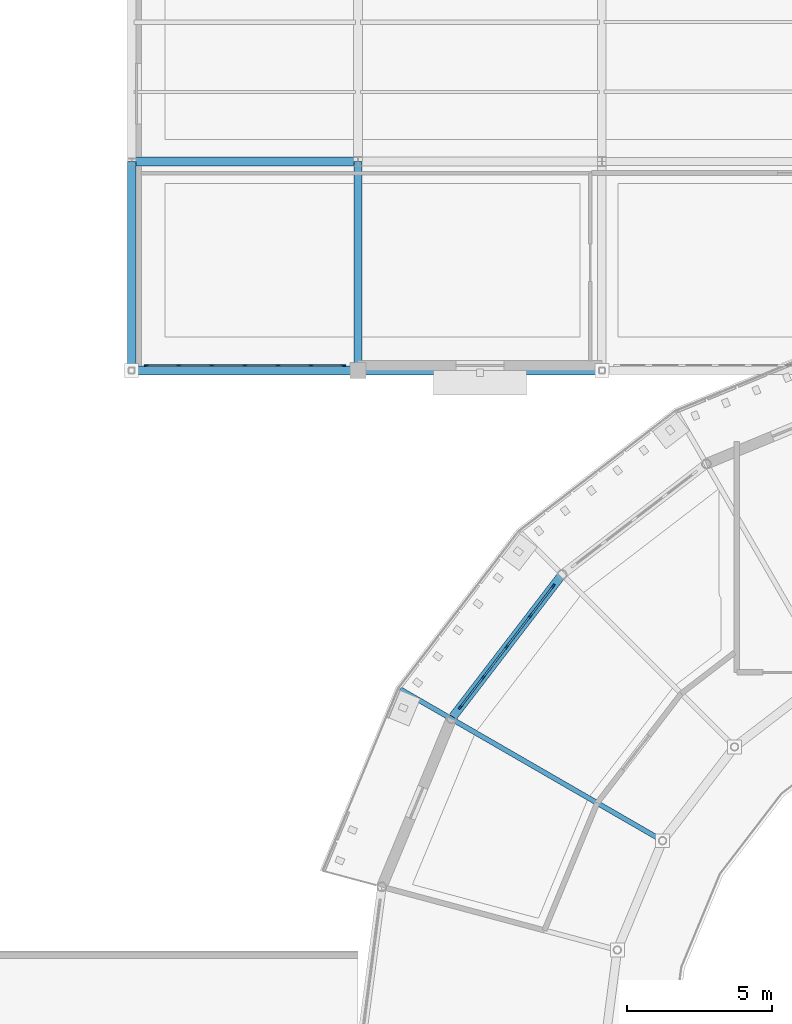
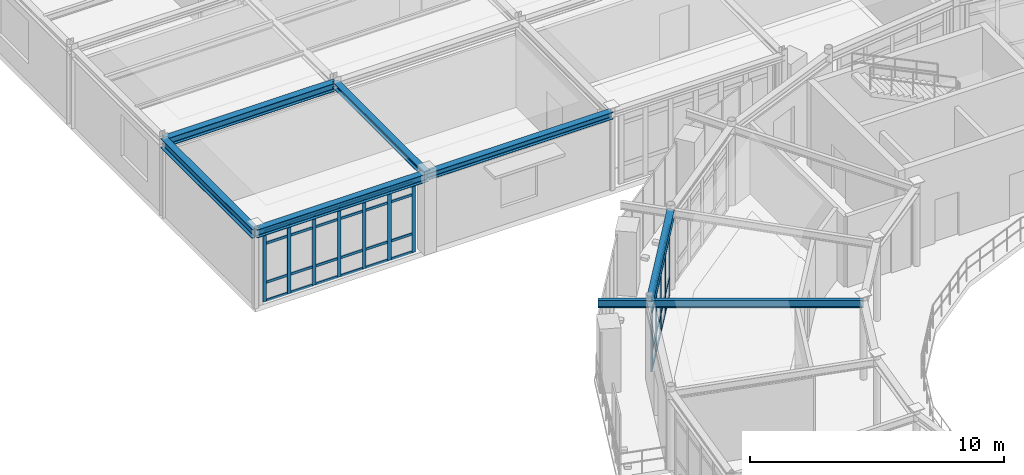
# One storey, part 31 of 70: 52 members, 7 beams, 2 elements without a shape of their own.
"""IFC4 building model written with IfcOpenShell, lengths in metres."""

from ifc_helpers import new_model, si_unit, derived_unit, direction, frame, origin, origin_2d, place, context, subcontext, project, spatial, rectangle, i_section, extrude, material, layer, layer_set, material_profile, profile_set, type_object, element, aggregate, save


model = new_model("IFC4")

# Units and contexts
model_context = context("Model", 3, precision=1e-05, world=origin(), true_north=direction((0.0, 1.0)))
body_context = subcontext(model_context, "Body", "Model", "MODEL_VIEW")
ifc_project = project(units=[si_unit("LENGTHUNIT", "METRE"), si_unit("AREAUNIT", "SQUARE_METRE"), si_unit("VOLUMEUNIT", "CUBIC_METRE"), si_unit("PLANEANGLEUNIT", "RADIAN"), si_unit("MASSUNIT", "GRAM", prefix="KILO"), derived_unit("THERMALTRANSMITTANCEUNIT", [(si_unit("POWERUNIT", "WATT"), 1), (si_unit("AREAUNIT", "SQUARE_METRE"), -1), (si_unit("THERMODYNAMICTEMPERATUREUNIT", "KELVIN"), -1)])], contexts=[model_context])

# Site, building, storey
site_placement = place(None, origin())
site = spatial("IfcSite", under=ifc_project, at=site_placement, CompositionType="ELEMENT")
building_placement = place(site_placement, origin())
building = spatial("IfcBuilding", under=site, at=building_placement, Name="Yasenodar Specialist Clinic", CompositionType="ELEMENT")
storey_placement = place(building_placement, frame((0.0, 0.0, 13.199951171875)))
storey = spatial("IfcBuildingStorey", under=building, at=storey_placement, Name="L03", CompositionType="ELEMENT", Elevation=13.199951171875)

# Beams
ifc_material_1 = material(Name="Steel S355", Category="steel")
ifc_material_profile_1 = material_profile(ifc_material_1, i_section(OverallWidth=0.300048828125, OverallDepth=0.330078125, WebThickness=0.009521484375, FlangeThickness=0.0166015625, FilletRadius=0.027099609375, at=origin_2d()), Name="HEA 340")
ifc_profile_set_1 = profile_set([ifc_material_profile_1], Name="Steel S355")
beam_type_1 = type_object("IfcBeamType", Name="BM-HEA340", PredefinedType="BEAM", material=ifc_profile_set_1)
beam_1_placement = place(storey_placement, frame((57.0, 82.800048828125, 3.625), z_axis=(1.0, 0.0, 0.0), x_axis=(0.0, 1.0, 0.0)))
element("IfcBeam", 1, at=beam_1_placement, inside=storey, type_object=beam_type_1, Name="L03 Primary E-W Girder", PredefinedType="BEAM", context=body_context, shape_type="SweptSolid", body=[
    extrude(i_section(OverallWidth=0.300048828125, OverallDepth=0.330078125, WebThickness=0.009521484375, FlangeThickness=0.0166015625, FilletRadius=0.027099609375, at=origin_2d()), origin(), (0.0, 0.0, 1.0), 8.39990234375),
])
ifc_material_profile_2 = material_profile(ifc_material_1, i_section(OverallWidth=0.300048828125, OverallDepth=0.389892578125, WebThickness=0.010986328125, FlangeThickness=0.01904296875, FilletRadius=0.027099609375, at=origin_2d()), Name="HEA 400")
ifc_profile_set_2 = profile_set([ifc_material_profile_2], Name="Steel S355")
beam_type_2 = type_object("IfcBeamType", Name="BM-HEA400", PredefinedType="BEAM", material=ifc_profile_set_2)
for number, where, z_axis, x_axis, name in (
    (2, (49.199951171875, 82.800048828125, 3.594970703125), (1.0, 0.0, 0.0), (0.0, 1.0, 0.0), "L03 Primary E-W Girder"),
    (3, (49.199951171875, 90.0, 3.594970703125), (1.0, 0.0, 0.0), (0.0, 1.0, 0.0), "L03 Primary E-W Girder"),
):
    element("IfcBeam", number, at=place(storey_placement, frame(where, z_axis=z_axis, x_axis=x_axis)), inside=storey, type_object=beam_type_2, Name=name, PredefinedType="BEAM", context=body_context, shape_type="SweptSolid", body=[
        extrude(i_section(OverallWidth=0.300048828125, OverallDepth=0.389892578125, WebThickness=0.010986328125, FlangeThickness=0.01904296875, FilletRadius=0.027099609375, at=origin_2d()), origin(), (0.0, 0.0, 1.0), 7.800048828125),
    ])
beam_2_placement = place(storey_placement, frame((64.029296875, 75.7705078125, 3.60498046875), z_axis=(-0.608761180103, -0.793353531283, 0.0), x_axis=(0.793353531283, -0.608761180103, 0.0)))
element("IfcBeam", 4, at=beam_2_placement, inside=storey, type_object=beam_type_2, Name="L03 Drum V1 Perimeter Ring Beam", PredefinedType="BEAM", context=body_context, shape_type="SweptSolid", body=[
    extrude(i_section(OverallWidth=0.300048828125, OverallDepth=0.389892578125, WebThickness=0.010986328125, FlangeThickness=0.01904296875, FilletRadius=0.027099609375, at=origin_2d()), origin(), (0.0, 0.0, 1.0), 6.26513671875),
])
ifc_material_profile_3 = material_profile(ifc_material_1, i_section(OverallWidth=0.280029296875, OverallDepth=0.280029296875, WebThickness=0.010498046875, FlangeThickness=0.01806640625, FilletRadius=0.02392578125, at=origin_2d()), Name="HEB 280")
ifc_profile_set_3 = profile_set([ifc_material_profile_3], Name="Steel S355")
beam_type_3 = type_object("IfcBeamType", Name="BM-HEB280", PredefinedType="BEAM", material=ifc_profile_set_3)
beam_3_placement = place(storey_placement, frame((57.0, 82.800048828125, 3.650146484375), z_axis=(0.0, 1.0, 0.0), x_axis=(-1.0, 0.0, 0.0)))
element("IfcBeam", 5, at=beam_3_placement, inside=storey, type_object=beam_type_3, Name="L03 Primary N-S Girder", PredefinedType="BEAM", context=body_context, shape_type="SweptSolid", body=[
    extrude(i_section(OverallWidth=0.280029296875, OverallDepth=0.280029296875, WebThickness=0.010498046875, FlangeThickness=0.01806640625, FilletRadius=0.02392578125, at=origin_2d()), origin(), (0.0, 0.0, 1.0), 7.199951171875),
])
ifc_material_profile_4 = material_profile(ifc_material_1, i_section(OverallWidth=0.300048828125, OverallDepth=0.449951171875, WebThickness=0.013916015625, FlangeThickness=0.02587890625, FilletRadius=0.027099609375, at=origin_2d()), Name="HEB 450")
ifc_profile_set_4 = profile_set([ifc_material_profile_4], Name="Steel S355")
beam_type_4 = type_object("IfcBeamType", Name="BM-HEB450", PredefinedType="BEAM", material=ifc_profile_set_4)
beam_4_placement = place(storey_placement, frame((49.199951171875, 82.800048828125, 3.56494140625), z_axis=(0.0, 1.0, 0.0), x_axis=(-1.0, 0.0, 0.0)))
element("IfcBeam", 6, at=beam_4_placement, inside=storey, type_object=beam_type_4, Name="L03 Primary N-S Girder", PredefinedType="BEAM", context=body_context, shape_type="SweptSolid", body=[
    extrude(i_section(OverallWidth=0.300048828125, OverallDepth=0.449951171875, WebThickness=0.013916015625, FlangeThickness=0.02587890625, FilletRadius=0.027099609375, at=origin_2d()), origin(), (0.0, 0.0, 1.0), 7.199951171875),
])
ifc_material_profile_5 = material_profile(ifc_material_1, i_section(OverallWidth=0.169921875, OverallDepth=0.360107421875, WebThickness=0.008056640625, FlangeThickness=0.0126953125, FilletRadius=0.01806640625, at=origin_2d()), Name="IPE 360")
ifc_profile_set_5 = profile_set([ifc_material_profile_5], Name="Steel S355")
beam_type_5 = type_object("IfcBeamType", Name="BM-IPE360", PredefinedType="BEAM", material=ifc_profile_set_5)
beam_5_placement = place(storey_placement, frame((67.489990234375, 66.60009765625, 3.6201171875), z_axis=(-0.866033467715, 0.499986032603, 0.0), x_axis=(-0.499986032603, -0.866033467715, 0.0)))
element("IfcBeam", 7, at=beam_5_placement, inside=storey, type_object=beam_type_5, Name="L03 Drum V1 Radial Back-Spanned Cantilever Beam", PredefinedType="BEAM", context=body_context, shape_type="SweptSolid", body=[
    extrude(i_section(OverallWidth=0.169921875, OverallDepth=0.360107421875, WebThickness=0.008056640625, FlangeThickness=0.0126953125, FilletRadius=0.01806640625, at=origin_2d()), origin(), (0.0, 0.0, 1.0), 10.449951171875),
])

# Curtain wall, members
ifc_material_2 = material(Name="Bronze Anodized Aluminium and Triple Low-E Glass", Category="aluminium")
ifc_layer_1 = layer(ifc_material_2, 0.1669921875)
ifc_layer_set_1 = layer_set([ifc_layer_1], Name="Bronze Anodized Aluminium and Triple Low-E Glass")
curtain_wall_type_1 = type_object("IfcCurtainWallType", Name="CW-SYS-01", PredefinedType="USERDEFINED", material=ifc_layer_set_1)
curtain_wall_1_placement = place(storey_placement, origin())
curtain_wall_1 = element("IfcCurtainWall", 8, at=curtain_wall_1_placement, inside=storey, type_object=curtain_wall_type_1, Name="L03 Unitised Curtain Wall 046", ObjectType="UNITISED CURTAIN WALL", PredefinedType="USERDEFINED")
ifc_material_3 = material(Name="Bronze Anodized Aluminium", Category="aluminium")
ifc_material_profile_6 = material_profile(ifc_material_3, rectangle(XDim=0.06005859375, YDim=0.159912109375, at=origin_2d()), Name="CW-MULL 60x160")
ifc_profile_set_6 = profile_set([ifc_material_profile_6], Name="Bronze Anodized Aluminium")
member_type_1 = type_object("IfcMemberType", Name="CW-MULL-160", PredefinedType="MULLION", material=ifc_profile_set_6)
member_1_placement = place(storey_placement, frame((60.52587890625, 71.20458984375, 0.0), z_axis=(0.0, 0.0, 1.0), x_axis=(-0.793360558574, 0.608752021844, 0.0)))
member_1 = element("IfcMember", 9, at=member_1_placement, type_object=member_type_1, Name="CW-01 mullion 1", PredefinedType="MULLION", context=body_context, shape_type="SweptSolid", body=[
    extrude(rectangle(XDim=0.06005859375, YDim=0.159912109375, at=origin_2d()), origin(), (0.0, 0.0, 1.0), 3.387939453125),
])
member_2_placement = place(storey_placement, frame((61.31494140625, 72.233154296875, 0.0), z_axis=(0.0, 0.0, 1.0), x_axis=(-0.793360558574, 0.608752021844, 0.0)))
member_2 = element("IfcMember", 10, at=member_2_placement, type_object=member_type_1, Name="CW-01 mullion 2", PredefinedType="MULLION", context=body_context, shape_type="SweptSolid", body=[
    extrude(rectangle(XDim=0.06005859375, YDim=0.159912109375, at=origin_2d()), origin(), (0.0, 0.0, 1.0), 3.387939453125),
])
member_3_placement = place(storey_placement, frame((62.122314453125, 73.285400390625, 0.0), z_axis=(0.0, 0.0, 1.0), x_axis=(-0.793360558574, 0.608752021844, 0.0)))
member_3 = element("IfcMember", 11, at=member_3_placement, type_object=member_type_1, Name="CW-01 mullion 3", PredefinedType="MULLION", context=body_context, shape_type="SweptSolid", body=[
    extrude(rectangle(XDim=0.06005859375, YDim=0.159912109375, at=origin_2d()), origin(), (0.0, 0.0, 1.0), 3.387939453125),
])
member_4_placement = place(storey_placement, frame((62.9296875, 74.337646484375, 0.0), z_axis=(0.0, 0.0, 1.0), x_axis=(-0.793360558574, 0.608752021844, 0.0)))
member_4 = element("IfcMember", 12, at=member_4_placement, type_object=member_type_1, Name="CW-01 mullion 4", PredefinedType="MULLION", context=body_context, shape_type="SweptSolid", body=[
    extrude(rectangle(XDim=0.06005859375, YDim=0.159912109375, at=origin_2d()), origin(), (0.0, 0.0, 1.0), 3.387939453125),
])
member_5_placement = place(storey_placement, frame((63.718994140625, 75.365966796875, 0.0), z_axis=(0.0, 0.0, 1.0), x_axis=(-0.793360558574, 0.608752021844, 0.0)))
member_5 = element("IfcMember", 13, at=member_5_placement, type_object=member_type_1, Name="CW-01 mullion 5", PredefinedType="MULLION", context=body_context, shape_type="SweptSolid", body=[
    extrude(rectangle(XDim=0.06005859375, YDim=0.159912109375, at=origin_2d()), origin(), (0.0, 0.0, 1.0), 3.387939453125),
])

ifc_layer_2 = layer(ifc_material_2, 0.215087890625)
ifc_layer_set_2 = layer_set([ifc_layer_2], Name="Bronze Anodized Aluminium and Triple Low-E Glass")
curtain_wall_type_2 = type_object("IfcCurtainWallType", Name="CW-SYS-05", PredefinedType="USERDEFINED", material=ifc_layer_set_2)
curtain_wall_2_placement = place(storey_placement, origin())
curtain_wall_2 = element("IfcCurtainWall", 14, at=curtain_wall_2_placement, inside=storey, type_object=curtain_wall_type_2, Name="L03 Unitised Curtain Wall 161", ObjectType="UNITISED CURTAIN WALL", PredefinedType="USERDEFINED")
member_6_placement = place(storey_placement, frame((56.489990234375, 82.969970703125, 0.0), z_axis=(0.0, 0.0, 1.0), x_axis=(0.0, -1.0, 0.0)))
member_6 = element("IfcMember", 15, at=member_6_placement, type_object=member_type_1, Name="CW-05 mullion 1", PredefinedType="MULLION", context=body_context, shape_type="SweptSolid", body=[
    extrude(rectangle(XDim=0.06005859375, YDim=0.159912109375, at=origin_2d()), origin(), (0.0, 0.0, 1.0), 3.3779296875),
])
member_7_placement = place(storey_placement, frame((55.3798828125, 82.969970703125, 0.0), z_axis=(0.0, 0.0, 1.0), x_axis=(0.0, -1.0, 0.0)))
member_7 = element("IfcMember", 16, at=member_7_placement, type_object=member_type_1, Name="CW-05 mullion 2", PredefinedType="MULLION", context=body_context, shape_type="SweptSolid", body=[
    extrude(rectangle(XDim=0.06005859375, YDim=0.159912109375, at=origin_2d()), origin(), (0.0, 0.0, 1.0), 3.3779296875),
])
member_8_placement = place(storey_placement, frame((54.239990234375, 82.969970703125, 0.0), z_axis=(0.0, 0.0, 1.0), x_axis=(0.0, -1.0, 0.0)))
member_8 = element("IfcMember", 17, at=member_8_placement, type_object=member_type_1, Name="CW-05 mullion 3", PredefinedType="MULLION", context=body_context, shape_type="SweptSolid", body=[
    extrude(rectangle(XDim=0.06005859375, YDim=0.159912109375, at=origin_2d()), origin(), (0.0, 0.0, 1.0), 3.3779296875),
])
member_9_placement = place(storey_placement, frame((53.10009765625, 82.969970703125, 0.0), z_axis=(0.0, 0.0, 1.0), x_axis=(0.0, -1.0, 0.0)))
member_9 = element("IfcMember", 18, at=member_9_placement, type_object=member_type_1, Name="CW-05 mullion 4", PredefinedType="MULLION", context=body_context, shape_type="SweptSolid", body=[
    extrude(rectangle(XDim=0.06005859375, YDim=0.159912109375, at=origin_2d()), origin(), (0.0, 0.0, 1.0), 3.3779296875),
])
member_10_placement = place(storey_placement, frame((51.9599609375, 82.969970703125, 0.0), z_axis=(0.0, 0.0, 1.0), x_axis=(0.0, -1.0, 0.0)))
member_10 = element("IfcMember", 19, at=member_10_placement, type_object=member_type_1, Name="CW-05 mullion 5", PredefinedType="MULLION", context=body_context, shape_type="SweptSolid", body=[
    extrude(rectangle(XDim=0.06005859375, YDim=0.159912109375, at=origin_2d()), origin(), (0.0, 0.0, 1.0), 3.3779296875),
])
member_11_placement = place(storey_placement, frame((50.820068359375, 82.969970703125, 0.0), z_axis=(0.0, 0.0, 1.0), x_axis=(0.0, -1.0, 0.0)))
member_11 = element("IfcMember", 20, at=member_11_placement, type_object=member_type_1, Name="CW-05 mullion 6", PredefinedType="MULLION", context=body_context, shape_type="SweptSolid", body=[
    extrude(rectangle(XDim=0.06005859375, YDim=0.159912109375, at=origin_2d()), origin(), (0.0, 0.0, 1.0), 3.3779296875),
])
member_12_placement = place(storey_placement, frame((49.7099609375, 82.969970703125, 0.0), z_axis=(0.0, 0.0, 1.0), x_axis=(0.0, -1.0, 0.0)))
member_12 = element("IfcMember", 21, at=member_12_placement, type_object=member_type_1, Name="CW-05 mullion 7", PredefinedType="MULLION", context=body_context, shape_type="SweptSolid", body=[
    extrude(rectangle(XDim=0.06005859375, YDim=0.159912109375, at=origin_2d()), origin(), (0.0, 0.0, 1.0), 3.3779296875),
])

# Member
ifc_material_profile_7 = material_profile(ifc_material_3, rectangle(XDim=0.06005859375, YDim=0.1201171875, at=origin_2d()), Name="CW-TRAN 60x120")
ifc_profile_set_7 = profile_set([ifc_material_profile_7], Name="Bronze Anodized Aluminium")
member_type_2 = type_object("IfcMemberType", Name="CW-TRAN-120", PredefinedType="USERDEFINED", material=ifc_profile_set_7)
member_13_placement = place(storey_placement, frame((60.544189453125, 71.228515625, 0.030029296875), z_axis=(0.608717606417, 0.793386964626, 0.0), x_axis=(-0.793386964626, 0.608717606417, 0.0)))
member_13 = element("IfcMember", 22, at=member_13_placement, type_object=member_type_2, Name="CW-01 transom 1.1", ObjectType="TRANSOM", PredefinedType="USERDEFINED", context=body_context, shape_type="SweptSolid", body=[
    extrude(rectangle(XDim=0.06005859375, YDim=0.1201171875, at=origin_2d()), origin(), (0.0, 0.0, 1.0), 1.236083984375),
])

member_14_placement = place(storey_placement, frame((60.544189453125, 71.228515625, 0.900146484375), z_axis=(0.608717606417, 0.793386964626, 0.0), x_axis=(-0.793386964626, 0.608717606417, 0.0)))
member_14 = element("IfcMember", 23, at=member_14_placement, type_object=member_type_2, Name="CW-01 transom 1.2", ObjectType="TRANSOM", PredefinedType="USERDEFINED", context=body_context, shape_type="SweptSolid", body=[
    extrude(rectangle(XDim=0.06005859375, YDim=0.1201171875, at=origin_2d()), origin(), (0.0, 0.0, 1.0), 1.236083984375),
])

member_15_placement = place(storey_placement, frame((60.544189453125, 71.228515625, 2.7880859375), z_axis=(0.608717606417, 0.793386964626, 0.0), x_axis=(-0.793386964626, 0.608717606417, 0.0)))
member_15 = element("IfcMember", 24, at=member_15_placement, type_object=member_type_2, Name="CW-01 transom 1.3", ObjectType="TRANSOM", PredefinedType="USERDEFINED", context=body_context, shape_type="SweptSolid", body=[
    extrude(rectangle(XDim=0.06005859375, YDim=0.1201171875, at=origin_2d()), origin(), (0.0, 0.0, 1.0), 1.236083984375),
])

member_16_placement = place(storey_placement, frame((60.544189453125, 71.228515625, 3.358154296875), z_axis=(0.608717606417, 0.793386964626, 0.0), x_axis=(-0.793386964626, 0.608717606417, 0.0)))
member_16 = element("IfcMember", 25, at=member_16_placement, type_object=member_type_2, Name="CW-01 transom 1.4", ObjectType="TRANSOM", PredefinedType="USERDEFINED", context=body_context, shape_type="SweptSolid", body=[
    extrude(rectangle(XDim=0.06005859375, YDim=0.1201171875, at=origin_2d()), origin(), (0.0, 0.0, 1.0), 1.236083984375),
])

member_17_placement = place(storey_placement, frame((61.333251953125, 72.2568359375, 0.030029296875), z_axis=(0.608815963567, 0.793311491475, 0.0), x_axis=(-0.793311491475, 0.608815963567, 0.0)))
member_17 = element("IfcMember", 26, at=member_17_placement, type_object=member_type_2, Name="CW-01 transom 2.1", ObjectType="TRANSOM", PredefinedType="USERDEFINED", context=body_context, shape_type="SweptSolid", body=[
    extrude(rectangle(XDim=0.06005859375, YDim=0.1201171875, at=origin_2d()), origin(), (0.0, 0.0, 1.0), 1.266357421875),
])

member_18_placement = place(storey_placement, frame((61.333251953125, 72.2568359375, 0.900146484375), z_axis=(0.608815963567, 0.793311491475, 0.0), x_axis=(-0.793311491475, 0.608815963567, 0.0)))
member_18 = element("IfcMember", 27, at=member_18_placement, type_object=member_type_2, Name="CW-01 transom 2.2", ObjectType="TRANSOM", PredefinedType="USERDEFINED", context=body_context, shape_type="SweptSolid", body=[
    extrude(rectangle(XDim=0.06005859375, YDim=0.1201171875, at=origin_2d()), origin(), (0.0, 0.0, 1.0), 1.266357421875),
])

member_19_placement = place(storey_placement, frame((61.333251953125, 72.2568359375, 2.7880859375), z_axis=(0.608815963567, 0.793311491475, 0.0), x_axis=(-0.793311491475, 0.608815963567, 0.0)))
member_19 = element("IfcMember", 28, at=member_19_placement, type_object=member_type_2, Name="CW-01 transom 2.3", ObjectType="TRANSOM", PredefinedType="USERDEFINED", context=body_context, shape_type="SweptSolid", body=[
    extrude(rectangle(XDim=0.06005859375, YDim=0.1201171875, at=origin_2d()), origin(), (0.0, 0.0, 1.0), 1.266357421875),
])

member_20_placement = place(storey_placement, frame((61.333251953125, 72.2568359375, 3.358154296875), z_axis=(0.608815963567, 0.793311491475, 0.0), x_axis=(-0.793311491475, 0.608815963567, 0.0)))
member_20 = element("IfcMember", 29, at=member_20_placement, type_object=member_type_2, Name="CW-01 transom 2.4", ObjectType="TRANSOM", PredefinedType="USERDEFINED", context=body_context, shape_type="SweptSolid", body=[
    extrude(rectangle(XDim=0.06005859375, YDim=0.1201171875, at=origin_2d()), origin(), (0.0, 0.0, 1.0), 1.266357421875),
])

member_21_placement = place(storey_placement, frame((62.140625, 73.30908203125, 0.030029296875), z_axis=(0.608815963567, 0.793311491475, 0.0), x_axis=(-0.793311491475, 0.608815963567, 0.0)))
member_21 = element("IfcMember", 30, at=member_21_placement, type_object=member_type_2, Name="CW-01 transom 3.1", ObjectType="TRANSOM", PredefinedType="USERDEFINED", context=body_context, shape_type="SweptSolid", body=[
    extrude(rectangle(XDim=0.06005859375, YDim=0.1201171875, at=origin_2d()), origin(), (0.0, 0.0, 1.0), 1.266357421875),
])

member_22_placement = place(storey_placement, frame((62.140625, 73.30908203125, 0.900146484375), z_axis=(0.608815963567, 0.793311491475, 0.0), x_axis=(-0.793311491475, 0.608815963567, 0.0)))
member_22 = element("IfcMember", 31, at=member_22_placement, type_object=member_type_2, Name="CW-01 transom 3.2", ObjectType="TRANSOM", PredefinedType="USERDEFINED", context=body_context, shape_type="SweptSolid", body=[
    extrude(rectangle(XDim=0.06005859375, YDim=0.1201171875, at=origin_2d()), origin(), (0.0, 0.0, 1.0), 1.266357421875),
])

member_23_placement = place(storey_placement, frame((62.140625, 73.30908203125, 2.7880859375), z_axis=(0.608815963567, 0.793311491475, 0.0), x_axis=(-0.793311491475, 0.608815963567, 0.0)))
member_23 = element("IfcMember", 32, at=member_23_placement, type_object=member_type_2, Name="CW-01 transom 3.3", ObjectType="TRANSOM", PredefinedType="USERDEFINED", context=body_context, shape_type="SweptSolid", body=[
    extrude(rectangle(XDim=0.06005859375, YDim=0.1201171875, at=origin_2d()), origin(), (0.0, 0.0, 1.0), 1.266357421875),
])

member_24_placement = place(storey_placement, frame((62.140625, 73.30908203125, 3.358154296875), z_axis=(0.608815963567, 0.793311491475, 0.0), x_axis=(-0.793311491475, 0.608815963567, 0.0)))
member_24 = element("IfcMember", 33, at=member_24_placement, type_object=member_type_2, Name="CW-01 transom 3.4", ObjectType="TRANSOM", PredefinedType="USERDEFINED", context=body_context, shape_type="SweptSolid", body=[
    extrude(rectangle(XDim=0.06005859375, YDim=0.1201171875, at=origin_2d()), origin(), (0.0, 0.0, 1.0), 1.266357421875),
])

member_25_placement = place(storey_placement, frame((62.947998046875, 74.361328125, 0.030029296875), z_axis=(0.608746535642, 0.793364768151, 0.0), x_axis=(-0.793364768151, 0.608746535642, 0.0)))
member_25 = element("IfcMember", 34, at=member_25_placement, type_object=member_type_2, Name="CW-01 transom 4.1", ObjectType="TRANSOM", PredefinedType="USERDEFINED", context=body_context, shape_type="SweptSolid", body=[
    extrude(rectangle(XDim=0.06005859375, YDim=0.1201171875, at=origin_2d()), origin(), (0.0, 0.0, 1.0), 1.236572265625),
])

member_26_placement = place(storey_placement, frame((62.947998046875, 74.361328125, 0.900146484375), z_axis=(0.608746535642, 0.793364768151, 0.0), x_axis=(-0.793364768151, 0.608746535642, 0.0)))
member_26 = element("IfcMember", 35, at=member_26_placement, type_object=member_type_2, Name="CW-01 transom 4.2", ObjectType="TRANSOM", PredefinedType="USERDEFINED", context=body_context, shape_type="SweptSolid", body=[
    extrude(rectangle(XDim=0.06005859375, YDim=0.1201171875, at=origin_2d()), origin(), (0.0, 0.0, 1.0), 1.236572265625),
])

member_27_placement = place(storey_placement, frame((62.947998046875, 74.361328125, 2.7880859375), z_axis=(0.608746535642, 0.793364768151, 0.0), x_axis=(-0.793364768151, 0.608746535642, 0.0)))
member_27 = element("IfcMember", 36, at=member_27_placement, type_object=member_type_2, Name="CW-01 transom 4.3", ObjectType="TRANSOM", PredefinedType="USERDEFINED", context=body_context, shape_type="SweptSolid", body=[
    extrude(rectangle(XDim=0.06005859375, YDim=0.1201171875, at=origin_2d()), origin(), (0.0, 0.0, 1.0), 1.236572265625),
])

member_28_placement = place(storey_placement, frame((62.947998046875, 74.361328125, 3.358154296875), z_axis=(0.608746535642, 0.793364768151, 0.0), x_axis=(-0.793364768151, 0.608746535642, 0.0)))
member_28 = element("IfcMember", 37, at=member_28_placement, type_object=member_type_2, Name="CW-01 transom 4.4", ObjectType="TRANSOM", PredefinedType="USERDEFINED", context=body_context, shape_type="SweptSolid", body=[
    extrude(rectangle(XDim=0.06005859375, YDim=0.1201171875, at=origin_2d()), origin(), (0.0, 0.0, 1.0), 1.236572265625),
])

aggregate(curtain_wall_1, [member_1, member_2, member_3, member_4, member_5, member_13, member_14, member_15, member_16, member_17, member_18, member_19, member_20, member_21, member_22, member_23, member_24, member_25, member_26, member_27, member_28])

member_29_placement = place(storey_placement, frame((56.4599609375, 82.969970703125, 0.030029296875), z_axis=(-1.0, 0.0, 0.0), x_axis=(0.0, -1.0, 0.0)))
member_29 = element("IfcMember", 38, at=member_29_placement, type_object=member_type_2, Name="CW-05 transom 1.1", ObjectType="TRANSOM", PredefinedType="USERDEFINED", context=body_context, shape_type="SweptSolid", body=[
    extrude(rectangle(XDim=0.06005859375, YDim=0.1201171875, at=origin_2d()), origin(), (0.0, 0.0, 1.0), 1.050048828125),
])

member_30_placement = place(storey_placement, frame((56.4599609375, 82.969970703125, 0.900146484375), z_axis=(-1.0, 0.0, 0.0), x_axis=(0.0, -1.0, 0.0)))
member_30 = element("IfcMember", 39, at=member_30_placement, type_object=member_type_2, Name="CW-05 transom 1.2", ObjectType="TRANSOM", PredefinedType="USERDEFINED", context=body_context, shape_type="SweptSolid", body=[
    extrude(rectangle(XDim=0.06005859375, YDim=0.1201171875, at=origin_2d()), origin(), (0.0, 0.0, 1.0), 1.050048828125),
])

member_31_placement = place(storey_placement, frame((56.4599609375, 82.969970703125, 2.778076171875), z_axis=(-1.0, 0.0, 0.0), x_axis=(0.0, -1.0, 0.0)))
member_31 = element("IfcMember", 40, at=member_31_placement, type_object=member_type_2, Name="CW-05 transom 1.3", ObjectType="TRANSOM", PredefinedType="USERDEFINED", context=body_context, shape_type="SweptSolid", body=[
    extrude(rectangle(XDim=0.06005859375, YDim=0.1201171875, at=origin_2d()), origin(), (0.0, 0.0, 1.0), 1.050048828125),
])

member_32_placement = place(storey_placement, frame((56.4599609375, 82.969970703125, 3.34814453125), z_axis=(-1.0, 0.0, 0.0), x_axis=(0.0, -1.0, 0.0)))
member_32 = element("IfcMember", 41, at=member_32_placement, type_object=member_type_2, Name="CW-05 transom 1.4", ObjectType="TRANSOM", PredefinedType="USERDEFINED", context=body_context, shape_type="SweptSolid", body=[
    extrude(rectangle(XDim=0.06005859375, YDim=0.1201171875, at=origin_2d()), origin(), (0.0, 0.0, 1.0), 1.050048828125),
])

member_33_placement = place(storey_placement, frame((55.35009765625, 82.969970703125, 0.030029296875), z_axis=(-1.0, 0.0, 0.0), x_axis=(0.0, -1.0, 0.0)))
member_33 = element("IfcMember", 42, at=member_33_placement, type_object=member_type_2, Name="CW-05 transom 2.1", ObjectType="TRANSOM", PredefinedType="USERDEFINED", context=body_context, shape_type="SweptSolid", body=[
    extrude(rectangle(XDim=0.06005859375, YDim=0.1201171875, at=origin_2d()), origin(), (0.0, 0.0, 1.0), 1.080078125),
])

member_34_placement = place(storey_placement, frame((55.35009765625, 82.969970703125, 0.900146484375), z_axis=(-1.0, 0.0, 0.0), x_axis=(0.0, -1.0, 0.0)))
member_34 = element("IfcMember", 43, at=member_34_placement, type_object=member_type_2, Name="CW-05 transom 2.2", ObjectType="TRANSOM", PredefinedType="USERDEFINED", context=body_context, shape_type="SweptSolid", body=[
    extrude(rectangle(XDim=0.06005859375, YDim=0.1201171875, at=origin_2d()), origin(), (0.0, 0.0, 1.0), 1.080078125),
])

member_35_placement = place(storey_placement, frame((55.35009765625, 82.969970703125, 2.778076171875), z_axis=(-1.0, 0.0, 0.0), x_axis=(0.0, -1.0, 0.0)))
member_35 = element("IfcMember", 44, at=member_35_placement, type_object=member_type_2, Name="CW-05 transom 2.3", ObjectType="TRANSOM", PredefinedType="USERDEFINED", context=body_context, shape_type="SweptSolid", body=[
    extrude(rectangle(XDim=0.06005859375, YDim=0.1201171875, at=origin_2d()), origin(), (0.0, 0.0, 1.0), 1.080078125),
])

member_36_placement = place(storey_placement, frame((55.35009765625, 82.969970703125, 3.34814453125), z_axis=(-1.0, 0.0, 0.0), x_axis=(0.0, -1.0, 0.0)))
member_36 = element("IfcMember", 45, at=member_36_placement, type_object=member_type_2, Name="CW-05 transom 2.4", ObjectType="TRANSOM", PredefinedType="USERDEFINED", context=body_context, shape_type="SweptSolid", body=[
    extrude(rectangle(XDim=0.06005859375, YDim=0.1201171875, at=origin_2d()), origin(), (0.0, 0.0, 1.0), 1.080078125),
])

member_37_placement = place(storey_placement, frame((54.2099609375, 82.969970703125, 0.030029296875), z_axis=(-1.0, 0.0, 0.0), x_axis=(0.0, -1.0, 0.0)))
member_37 = element("IfcMember", 46, at=member_37_placement, type_object=member_type_2, Name="CW-05 transom 3.1", ObjectType="TRANSOM", PredefinedType="USERDEFINED", context=body_context, shape_type="SweptSolid", body=[
    extrude(rectangle(XDim=0.06005859375, YDim=0.1201171875, at=origin_2d()), origin(), (0.0, 0.0, 1.0), 1.080078125),
])

member_38_placement = place(storey_placement, frame((54.2099609375, 82.969970703125, 0.900146484375), z_axis=(-1.0, 0.0, 0.0), x_axis=(0.0, -1.0, 0.0)))
member_38 = element("IfcMember", 47, at=member_38_placement, type_object=member_type_2, Name="CW-05 transom 3.2", ObjectType="TRANSOM", PredefinedType="USERDEFINED", context=body_context, shape_type="SweptSolid", body=[
    extrude(rectangle(XDim=0.06005859375, YDim=0.1201171875, at=origin_2d()), origin(), (0.0, 0.0, 1.0), 1.080078125),
])

member_39_placement = place(storey_placement, frame((54.2099609375, 82.969970703125, 2.778076171875), z_axis=(-1.0, 0.0, 0.0), x_axis=(0.0, -1.0, 0.0)))
member_39 = element("IfcMember", 48, at=member_39_placement, type_object=member_type_2, Name="CW-05 transom 3.3", ObjectType="TRANSOM", PredefinedType="USERDEFINED", context=body_context, shape_type="SweptSolid", body=[
    extrude(rectangle(XDim=0.06005859375, YDim=0.1201171875, at=origin_2d()), origin(), (0.0, 0.0, 1.0), 1.080078125),
])

member_40_placement = place(storey_placement, frame((54.2099609375, 82.969970703125, 3.34814453125), z_axis=(-1.0, 0.0, 0.0), x_axis=(0.0, -1.0, 0.0)))
member_40 = element("IfcMember", 49, at=member_40_placement, type_object=member_type_2, Name="CW-05 transom 3.4", ObjectType="TRANSOM", PredefinedType="USERDEFINED", context=body_context, shape_type="SweptSolid", body=[
    extrude(rectangle(XDim=0.06005859375, YDim=0.1201171875, at=origin_2d()), origin(), (0.0, 0.0, 1.0), 1.080078125),
])

member_41_placement = place(storey_placement, frame((53.070068359375, 82.969970703125, 0.030029296875), z_axis=(-1.0, 0.0, 0.0), x_axis=(0.0, -1.0, 0.0)))
member_41 = element("IfcMember", 50, at=member_41_placement, type_object=member_type_2, Name="CW-05 transom 4.1", ObjectType="TRANSOM", PredefinedType="USERDEFINED", context=body_context, shape_type="SweptSolid", body=[
    extrude(rectangle(XDim=0.06005859375, YDim=0.1201171875, at=origin_2d()), origin(), (0.0, 0.0, 1.0), 1.080078125),
])

member_42_placement = place(storey_placement, frame((53.070068359375, 82.969970703125, 0.900146484375), z_axis=(-1.0, 0.0, 0.0), x_axis=(0.0, -1.0, 0.0)))
member_42 = element("IfcMember", 51, at=member_42_placement, type_object=member_type_2, Name="CW-05 transom 4.2", ObjectType="TRANSOM", PredefinedType="USERDEFINED", context=body_context, shape_type="SweptSolid", body=[
    extrude(rectangle(XDim=0.06005859375, YDim=0.1201171875, at=origin_2d()), origin(), (0.0, 0.0, 1.0), 1.080078125),
])

member_43_placement = place(storey_placement, frame((53.070068359375, 82.969970703125, 2.778076171875), z_axis=(-1.0, 0.0, 0.0), x_axis=(0.0, -1.0, 0.0)))
member_43 = element("IfcMember", 52, at=member_43_placement, type_object=member_type_2, Name="CW-05 transom 4.3", ObjectType="TRANSOM", PredefinedType="USERDEFINED", context=body_context, shape_type="SweptSolid", body=[
    extrude(rectangle(XDim=0.06005859375, YDim=0.1201171875, at=origin_2d()), origin(), (0.0, 0.0, 1.0), 1.080078125),
])

member_44_placement = place(storey_placement, frame((53.070068359375, 82.969970703125, 3.34814453125), z_axis=(-1.0, 0.0, 0.0), x_axis=(0.0, -1.0, 0.0)))
member_44 = element("IfcMember", 53, at=member_44_placement, type_object=member_type_2, Name="CW-05 transom 4.4", ObjectType="TRANSOM", PredefinedType="USERDEFINED", context=body_context, shape_type="SweptSolid", body=[
    extrude(rectangle(XDim=0.06005859375, YDim=0.1201171875, at=origin_2d()), origin(), (0.0, 0.0, 1.0), 1.080078125),
])

member_45_placement = place(storey_placement, frame((51.929931640625, 82.969970703125, 0.030029296875), z_axis=(-1.0, 0.0, 0.0), x_axis=(0.0, -1.0, 0.0)))
member_45 = element("IfcMember", 54, at=member_45_placement, type_object=member_type_2, Name="CW-05 transom 5.1", ObjectType="TRANSOM", PredefinedType="USERDEFINED", context=body_context, shape_type="SweptSolid", body=[
    extrude(rectangle(XDim=0.06005859375, YDim=0.1201171875, at=origin_2d()), origin(), (0.0, 0.0, 1.0), 1.079833984375),
])

member_46_placement = place(storey_placement, frame((51.929931640625, 82.969970703125, 0.900146484375), z_axis=(-1.0, 0.0, 0.0), x_axis=(0.0, -1.0, 0.0)))
member_46 = element("IfcMember", 55, at=member_46_placement, type_object=member_type_2, Name="CW-05 transom 5.2", ObjectType="TRANSOM", PredefinedType="USERDEFINED", context=body_context, shape_type="SweptSolid", body=[
    extrude(rectangle(XDim=0.06005859375, YDim=0.1201171875, at=origin_2d()), origin(), (0.0, 0.0, 1.0), 1.079833984375),
])

member_47_placement = place(storey_placement, frame((51.929931640625, 82.969970703125, 2.778076171875), z_axis=(-1.0, 0.0, 0.0), x_axis=(0.0, -1.0, 0.0)))
member_47 = element("IfcMember", 56, at=member_47_placement, type_object=member_type_2, Name="CW-05 transom 5.3", ObjectType="TRANSOM", PredefinedType="USERDEFINED", context=body_context, shape_type="SweptSolid", body=[
    extrude(rectangle(XDim=0.06005859375, YDim=0.1201171875, at=origin_2d()), origin(), (0.0, 0.0, 1.0), 1.079833984375),
])

member_48_placement = place(storey_placement, frame((51.929931640625, 82.969970703125, 3.34814453125), z_axis=(-1.0, 0.0, 0.0), x_axis=(0.0, -1.0, 0.0)))
member_48 = element("IfcMember", 57, at=member_48_placement, type_object=member_type_2, Name="CW-05 transom 5.4", ObjectType="TRANSOM", PredefinedType="USERDEFINED", context=body_context, shape_type="SweptSolid", body=[
    extrude(rectangle(XDim=0.06005859375, YDim=0.1201171875, at=origin_2d()), origin(), (0.0, 0.0, 1.0), 1.079833984375),
])

member_49_placement = place(storey_placement, frame((50.7900390625, 82.969970703125, 0.030029296875), z_axis=(-1.0, 0.0, 0.0), x_axis=(0.0, -1.0, 0.0)))
member_49 = element("IfcMember", 58, at=member_49_placement, type_object=member_type_2, Name="CW-05 transom 6.1", ObjectType="TRANSOM", PredefinedType="USERDEFINED", context=body_context, shape_type="SweptSolid", body=[
    extrude(rectangle(XDim=0.06005859375, YDim=0.1201171875, at=origin_2d()), origin(), (0.0, 0.0, 1.0), 1.050048828125),
])

member_50_placement = place(storey_placement, frame((50.7900390625, 82.969970703125, 0.900146484375), z_axis=(-1.0, 0.0, 0.0), x_axis=(0.0, -1.0, 0.0)))
member_50 = element("IfcMember", 59, at=member_50_placement, type_object=member_type_2, Name="CW-05 transom 6.2", ObjectType="TRANSOM", PredefinedType="USERDEFINED", context=body_context, shape_type="SweptSolid", body=[
    extrude(rectangle(XDim=0.06005859375, YDim=0.1201171875, at=origin_2d()), origin(), (0.0, 0.0, 1.0), 1.050048828125),
])

member_51_placement = place(storey_placement, frame((50.7900390625, 82.969970703125, 2.778076171875), z_axis=(-1.0, 0.0, 0.0), x_axis=(0.0, -1.0, 0.0)))
member_51 = element("IfcMember", 60, at=member_51_placement, type_object=member_type_2, Name="CW-05 transom 6.3", ObjectType="TRANSOM", PredefinedType="USERDEFINED", context=body_context, shape_type="SweptSolid", body=[
    extrude(rectangle(XDim=0.06005859375, YDim=0.1201171875, at=origin_2d()), origin(), (0.0, 0.0, 1.0), 1.050048828125),
])

member_52_placement = place(storey_placement, frame((50.7900390625, 82.969970703125, 3.34814453125), z_axis=(-1.0, 0.0, 0.0), x_axis=(0.0, -1.0, 0.0)))
member_52 = element("IfcMember", 61, at=member_52_placement, type_object=member_type_2, Name="CW-05 transom 6.4", ObjectType="TRANSOM", PredefinedType="USERDEFINED", context=body_context, shape_type="SweptSolid", body=[
    extrude(rectangle(XDim=0.06005859375, YDim=0.1201171875, at=origin_2d()), origin(), (0.0, 0.0, 1.0), 1.050048828125),
])

aggregate(curtain_wall_2, [member_6, member_7, member_8, member_9, member_10, member_11, member_12, member_29, member_30, member_31, member_32, member_33, member_34, member_35, member_36, member_37, member_38, member_39, member_40, member_41, member_42, member_43, member_44, member_45, member_46, member_47, member_48, member_49, member_50, member_51, member_52])

save(model, "model.ifc")
